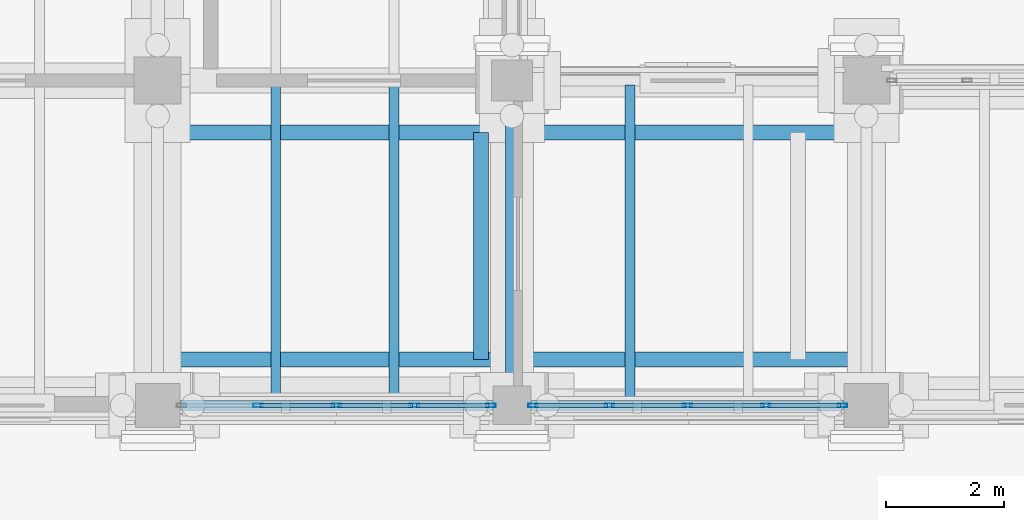
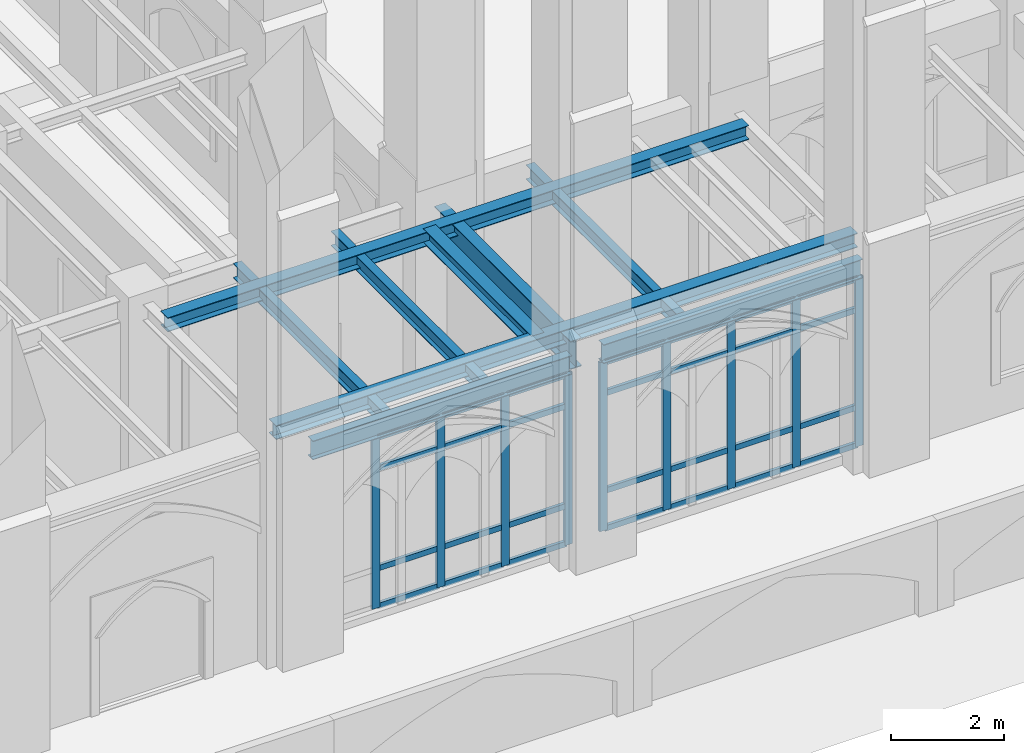
# One storey, part 35 of 135: 37 members, 9 beams, 2 elements without a shape of their own.
"""IFC4 building model written with IfcOpenShell, lengths in metres."""

from ifc_helpers import new_model, si_unit, direction, frame, origin, origin_2d, place, context, subcontext, project, spatial, hollow_rectangle, i_section, extrude, material, layer, layer_set, material_profile, profile_set, type_object, element, aggregate, save


model = new_model("IFC4")

# Units and contexts
model_context = context("Model", 3, precision=1e-05, world=origin(), true_north=direction((0.0, 1.0)))
body_context = subcontext(model_context, "Body", "Model", "MODEL_VIEW")
ifc_project = project(units=[si_unit("LENGTHUNIT", "METRE"), si_unit("AREAUNIT", "SQUARE_METRE"), si_unit("VOLUMEUNIT", "CUBIC_METRE"), si_unit("PLANEANGLEUNIT", "RADIAN"), si_unit("MASSUNIT", "GRAM", prefix="KILO")], contexts=[model_context])

# Site, building, storey
site_placement = place(None, origin())
site = spatial("IfcSite", under=ifc_project, at=site_placement, CompositionType="ELEMENT")
building_placement = place(site_placement, origin())
building = spatial("IfcBuilding", under=site, at=building_placement, Name="Cumevento Cable Car Station", CompositionType="ELEMENT")
storey_placement = place(building_placement, origin())
storey = spatial("IfcBuildingStorey", under=building, at=storey_placement, Name="L01", CompositionType="ELEMENT", Elevation=0.0)

# Curtain wall, members
ifc_material_1 = material(Name="Anodised Bronze Aluminium AW-6063-T6", Category="aluminium")
ifc_layer_1 = layer(ifc_material_1, 0.2080078125)
ifc_layer_set_1 = layer_set([ifc_layer_1], Name="Anodised Bronze Aluminium AW-6063-T6")
curtain_wall_type_1 = type_object("IfcCurtainWallType", Name="Lancet Curtain Wall CW-09 1370", PredefinedType="NOTDEFINED", material=ifc_layer_set_1)
curtain_wall_1_placement = place(storey_placement, origin())
curtain_wall_1 = element("IfcCurtainWall", 1, at=curtain_wall_1_placement, inside=storey, type_object=curtain_wall_type_1, Name="Lancet Curtain Wall CW-09 L01 #8", PredefinedType="NOTDEFINED")
ifc_material_2 = material(Name="Anodised Bronze Aluminium AW-6063-T6", Category="aluminium")
ifc_material_profile_1 = material_profile(ifc_material_2, hollow_rectangle(XDim=0.06494140625, YDim=0.159912109375, WallThickness=0.00390625, at=origin_2d()), Name="ALUM65x160x4")
ifc_profile_set_1 = profile_set([ifc_material_profile_1], Name="Anodised Bronze Aluminium AW-6063-T6")
member_type_1 = type_object("IfcMemberType", Name="Curtain Mullion CWM-01 ALUM65x160x4", PredefinedType="MULLION", material=ifc_profile_set_1)
member_1_placement = place(storey_placement, frame((69.642578125, 4.0, 0.159912109375), z_axis=(0.0, 0.0, 1.0), x_axis=(0.0, -1.0, 0.0)))
member_1 = element("IfcMember", 2, at=member_1_placement, type_object=member_type_1, Name="CW-09 mullion 1", PredefinedType="MULLION", context=body_context, shape_type="SweptSolid", body=[
    extrude(hollow_rectangle(XDim=0.06494140625, YDim=0.159912109375, WallThickness=0.00390625, at=origin_2d()), origin(), (0.0, 0.0, 1.0), 3.708984375),
])
member_2_placement = place(storey_placement, frame((68.35009765625, 4.0, 0.159912109375), z_axis=(0.0, 0.0, 1.0), x_axis=(0.0, -1.0, 0.0)))
member_2 = element("IfcMember", 3, at=member_2_placement, type_object=member_type_1, Name="CW-09 mullion 2", PredefinedType="MULLION", context=body_context, shape_type="SweptSolid", body=[
    extrude(hollow_rectangle(XDim=0.06494140625, YDim=0.159912109375, WallThickness=0.00390625, at=origin_2d()), origin(), (0.0, 0.0, 1.0), 3.708984375),
])
member_3_placement = place(storey_placement, frame((67.02490234375, 4.0, 0.159912109375), z_axis=(0.0, 0.0, 1.0), x_axis=(0.0, -1.0, 0.0)))
member_3 = element("IfcMember", 4, at=member_3_placement, type_object=member_type_1, Name="CW-09 mullion 3", PredefinedType="MULLION", context=body_context, shape_type="SweptSolid", body=[
    extrude(hollow_rectangle(XDim=0.06494140625, YDim=0.159912109375, WallThickness=0.00390625, at=origin_2d()), origin(), (0.0, 0.0, 1.0), 3.708984375),
])
member_4_placement = place(storey_placement, frame((65.699951171875, 4.0, 0.159912109375), z_axis=(0.0, 0.0, 1.0), x_axis=(0.0, -1.0, 0.0)))
member_4 = element("IfcMember", 5, at=member_4_placement, type_object=member_type_1, Name="CW-09 mullion 4", PredefinedType="MULLION", context=body_context, shape_type="SweptSolid", body=[
    extrude(hollow_rectangle(XDim=0.06494140625, YDim=0.159912109375, WallThickness=0.00390625, at=origin_2d()), origin(), (0.0, 0.0, 1.0), 3.708984375),
])

ifc_material_3 = material(Name="Anodised Bronze Aluminium AW-6063-T6", Category="aluminium")
ifc_layer_2 = layer(ifc_material_3, 0.214111328125)
ifc_layer_set_2 = layer_set([ifc_layer_2], Name="Anodised Bronze Aluminium AW-6063-T6")
curtain_wall_type_2 = type_object("IfcCurtainWallType", Name="Lancet Curtain Wall CW-10 1410", PredefinedType="NOTDEFINED", material=ifc_layer_set_2)
curtain_wall_2_placement = place(storey_placement, origin())
curtain_wall_2 = element("IfcCurtainWall", 6, at=curtain_wall_2_placement, inside=storey, type_object=curtain_wall_type_2, Name="Lancet Curtain Wall CW-10 L01 #9", PredefinedType="NOTDEFINED")
member_5_placement = place(storey_placement, frame((75.592529296875, 4.0, 0.2099609375), z_axis=(0.0, 0.0, 1.0), x_axis=(0.0, -1.0, 0.0)))
member_5 = element("IfcMember", 7, at=member_5_placement, type_object=member_type_1, Name="CW-10 mullion 1", PredefinedType="MULLION", context=body_context, shape_type="SweptSolid", body=[
    extrude(hollow_rectangle(XDim=0.06494140625, YDim=0.159912109375, WallThickness=0.00390625, at=origin_2d()), origin(), (0.0, 0.0, 1.0), 3.658935546875),
])
member_6_placement = place(storey_placement, frame((74.300048828125, 4.0, 0.2099609375), z_axis=(0.0, 0.0, 1.0), x_axis=(0.0, -1.0, 0.0)))
member_6 = element("IfcMember", 8, at=member_6_placement, type_object=member_type_1, Name="CW-10 mullion 2", PredefinedType="MULLION", context=body_context, shape_type="SweptSolid", body=[
    extrude(hollow_rectangle(XDim=0.06494140625, YDim=0.159912109375, WallThickness=0.00390625, at=origin_2d()), origin(), (0.0, 0.0, 1.0), 3.658935546875),
])
member_7_placement = place(storey_placement, frame((72.97509765625, 4.0, 0.2099609375), z_axis=(0.0, 0.0, 1.0), x_axis=(0.0, -1.0, 0.0)))
member_7 = element("IfcMember", 9, at=member_7_placement, type_object=member_type_1, Name="CW-10 mullion 3", PredefinedType="MULLION", context=body_context, shape_type="SweptSolid", body=[
    extrude(hollow_rectangle(XDim=0.06494140625, YDim=0.159912109375, WallThickness=0.00390625, at=origin_2d()), origin(), (0.0, 0.0, 1.0), 3.658935546875),
])
member_8_placement = place(storey_placement, frame((71.64990234375, 4.0, 0.2099609375), z_axis=(0.0, 0.0, 1.0), x_axis=(0.0, -1.0, 0.0)))
member_8 = element("IfcMember", 10, at=member_8_placement, type_object=member_type_1, Name="CW-10 mullion 4", PredefinedType="MULLION", context=body_context, shape_type="SweptSolid", body=[
    extrude(hollow_rectangle(XDim=0.06494140625, YDim=0.159912109375, WallThickness=0.00390625, at=origin_2d()), origin(), (0.0, 0.0, 1.0), 3.658935546875),
])
member_9_placement = place(storey_placement, frame((70.357421875, 4.0, 0.2099609375), z_axis=(0.0, 0.0, 1.0), x_axis=(0.0, -1.0, 0.0)))
member_9 = element("IfcMember", 11, at=member_9_placement, type_object=member_type_1, Name="CW-10 mullion 5", PredefinedType="MULLION", context=body_context, shape_type="SweptSolid", body=[
    extrude(hollow_rectangle(XDim=0.06494140625, YDim=0.159912109375, WallThickness=0.00390625, at=origin_2d()), origin(), (0.0, 0.0, 1.0), 3.658935546875),
])

# Member
ifc_material_4 = material(Name="Anodised Bronze Aluminium AW-6063-T6", Category="aluminium")
ifc_material_profile_2 = material_profile(ifc_material_4, hollow_rectangle(XDim=0.06494140625, YDim=0.1201171875, WallThickness=0.00390625, at=origin_2d()), Name="ALUT65x120x4")
ifc_profile_set_2 = profile_set([ifc_material_profile_2], Name="Anodised Bronze Aluminium AW-6063-T6")
member_type_2 = type_object("IfcMemberType", Name="Curtain Transom CWT-01 ALUT65x120x4", PredefinedType="USERDEFINED", material=ifc_profile_set_2)
member_10_placement = place(storey_placement, frame((69.610107421875, 4.0, 0.1923828125), z_axis=(-1.0, 0.0, 0.0), x_axis=(0.0, -1.0, 0.0)))
member_10 = element("IfcMember", 12, at=member_10_placement, type_object=member_type_2, Name="CW-09 transom 1.1", ObjectType="TRANSOM", PredefinedType="USERDEFINED", context=body_context, shape_type="SweptSolid", body=[
    extrude(hollow_rectangle(XDim=0.06494140625, YDim=0.1201171875, WallThickness=0.00390625, at=origin_2d()), origin(), (0.0, 0.0, 1.0), 1.2275390625),
])

member_11_placement = place(storey_placement, frame((69.610107421875, 4.0, 1.010009765625), z_axis=(-1.0, 0.0, 0.0), x_axis=(0.0, -1.0, 0.0)))
member_11 = element("IfcMember", 13, at=member_11_placement, type_object=member_type_2, Name="CW-09 transom 1.2", ObjectType="TRANSOM", PredefinedType="USERDEFINED", context=body_context, shape_type="SweptSolid", body=[
    extrude(hollow_rectangle(XDim=0.06494140625, YDim=0.1201171875, WallThickness=0.00390625, at=origin_2d()), origin(), (0.0, 0.0, 1.0), 1.2275390625),
])

member_12_placement = place(storey_placement, frame((69.610107421875, 4.0, 3.1689453125), z_axis=(-1.0, 0.0, 0.0), x_axis=(0.0, -1.0, 0.0)))
member_12 = element("IfcMember", 14, at=member_12_placement, type_object=member_type_2, Name="CW-09 transom 1.3", ObjectType="TRANSOM", PredefinedType="USERDEFINED", context=body_context, shape_type="SweptSolid", body=[
    extrude(hollow_rectangle(XDim=0.06494140625, YDim=0.1201171875, WallThickness=0.00390625, at=origin_2d()), origin(), (0.0, 0.0, 1.0), 1.2275390625),
])

member_13_placement = place(storey_placement, frame((69.610107421875, 4.0, 3.83642578125), z_axis=(-1.0, 0.0, 0.0), x_axis=(0.0, -1.0, 0.0)))
member_13 = element("IfcMember", 15, at=member_13_placement, type_object=member_type_2, Name="CW-09 transom 1.4", ObjectType="TRANSOM", PredefinedType="USERDEFINED", context=body_context, shape_type="SweptSolid", body=[
    extrude(hollow_rectangle(XDim=0.06494140625, YDim=0.1201171875, WallThickness=0.00390625, at=origin_2d()), origin(), (0.0, 0.0, 1.0), 1.2275390625),
])

member_14_placement = place(storey_placement, frame((68.3173828125, 4.0, 0.1923828125), z_axis=(-1.0, 0.0, 0.0), x_axis=(0.0, -1.0, 0.0)))
member_14 = element("IfcMember", 16, at=member_14_placement, type_object=member_type_2, Name="CW-09 transom 2.1", ObjectType="TRANSOM", PredefinedType="USERDEFINED", context=body_context, shape_type="SweptSolid", body=[
    extrude(hollow_rectangle(XDim=0.06494140625, YDim=0.1201171875, WallThickness=0.00390625, at=origin_2d()), origin(), (0.0, 0.0, 1.0), 1.259765625),
])

member_15_placement = place(storey_placement, frame((68.3173828125, 4.0, 1.010009765625), z_axis=(-1.0, 0.0, 0.0), x_axis=(0.0, -1.0, 0.0)))
member_15 = element("IfcMember", 17, at=member_15_placement, type_object=member_type_2, Name="CW-09 transom 2.2", ObjectType="TRANSOM", PredefinedType="USERDEFINED", context=body_context, shape_type="SweptSolid", body=[
    extrude(hollow_rectangle(XDim=0.06494140625, YDim=0.1201171875, WallThickness=0.00390625, at=origin_2d()), origin(), (0.0, 0.0, 1.0), 1.259765625),
])

member_16_placement = place(storey_placement, frame((68.3173828125, 4.0, 3.1689453125), z_axis=(-1.0, 0.0, 0.0), x_axis=(0.0, -1.0, 0.0)))
member_16 = element("IfcMember", 18, at=member_16_placement, type_object=member_type_2, Name="CW-09 transom 2.3", ObjectType="TRANSOM", PredefinedType="USERDEFINED", context=body_context, shape_type="SweptSolid", body=[
    extrude(hollow_rectangle(XDim=0.06494140625, YDim=0.1201171875, WallThickness=0.00390625, at=origin_2d()), origin(), (0.0, 0.0, 1.0), 1.259765625),
])

member_17_placement = place(storey_placement, frame((68.3173828125, 4.0, 3.83642578125), z_axis=(-1.0, 0.0, 0.0), x_axis=(0.0, -1.0, 0.0)))
member_17 = element("IfcMember", 19, at=member_17_placement, type_object=member_type_2, Name="CW-09 transom 2.4", ObjectType="TRANSOM", PredefinedType="USERDEFINED", context=body_context, shape_type="SweptSolid", body=[
    extrude(hollow_rectangle(XDim=0.06494140625, YDim=0.1201171875, WallThickness=0.00390625, at=origin_2d()), origin(), (0.0, 0.0, 1.0), 1.259765625),
])

member_18_placement = place(storey_placement, frame((66.992431640625, 4.0, 0.1923828125), z_axis=(-1.0, 0.0, 0.0), x_axis=(0.0, -1.0, 0.0)))
member_18 = element("IfcMember", 20, at=member_18_placement, type_object=member_type_2, Name="CW-09 transom 3.1", ObjectType="TRANSOM", PredefinedType="USERDEFINED", context=body_context, shape_type="SweptSolid", body=[
    extrude(hollow_rectangle(XDim=0.06494140625, YDim=0.1201171875, WallThickness=0.00390625, at=origin_2d()), origin(), (0.0, 0.0, 1.0), 1.260009765625),
])

member_19_placement = place(storey_placement, frame((66.992431640625, 4.0, 1.010009765625), z_axis=(-1.0, 0.0, 0.0), x_axis=(0.0, -1.0, 0.0)))
member_19 = element("IfcMember", 21, at=member_19_placement, type_object=member_type_2, Name="CW-09 transom 3.2", ObjectType="TRANSOM", PredefinedType="USERDEFINED", context=body_context, shape_type="SweptSolid", body=[
    extrude(hollow_rectangle(XDim=0.06494140625, YDim=0.1201171875, WallThickness=0.00390625, at=origin_2d()), origin(), (0.0, 0.0, 1.0), 1.260009765625),
])

member_20_placement = place(storey_placement, frame((66.992431640625, 4.0, 3.1689453125), z_axis=(-1.0, 0.0, 0.0), x_axis=(0.0, -1.0, 0.0)))
member_20 = element("IfcMember", 22, at=member_20_placement, type_object=member_type_2, Name="CW-09 transom 3.3", ObjectType="TRANSOM", PredefinedType="USERDEFINED", context=body_context, shape_type="SweptSolid", body=[
    extrude(hollow_rectangle(XDim=0.06494140625, YDim=0.1201171875, WallThickness=0.00390625, at=origin_2d()), origin(), (0.0, 0.0, 1.0), 1.260009765625),
])

member_21_placement = place(storey_placement, frame((66.992431640625, 4.0, 3.83642578125), z_axis=(-1.0, 0.0, 0.0), x_axis=(0.0, -1.0, 0.0)))
member_21 = element("IfcMember", 23, at=member_21_placement, type_object=member_type_2, Name="CW-09 transom 3.4", ObjectType="TRANSOM", PredefinedType="USERDEFINED", context=body_context, shape_type="SweptSolid", body=[
    extrude(hollow_rectangle(XDim=0.06494140625, YDim=0.1201171875, WallThickness=0.00390625, at=origin_2d()), origin(), (0.0, 0.0, 1.0), 1.260009765625),
])

aggregate(curtain_wall_1, [member_1, member_2, member_3, member_4, member_10, member_11, member_12, member_13, member_14, member_15, member_16, member_17, member_18, member_19, member_20, member_21])

member_22_placement = place(storey_placement, frame((75.56005859375, 4.0, 0.242431640625), z_axis=(-1.0, 0.0, 0.0), x_axis=(0.0, -1.0, 0.0)))
member_22 = element("IfcMember", 24, at=member_22_placement, type_object=member_type_2, Name="CW-10 transom 1.1", ObjectType="TRANSOM", PredefinedType="USERDEFINED", context=body_context, shape_type="SweptSolid", body=[
    extrude(hollow_rectangle(XDim=0.06494140625, YDim=0.1201171875, WallThickness=0.00390625, at=origin_2d()), origin(), (0.0, 0.0, 1.0), 1.2275390625),
])

member_23_placement = place(storey_placement, frame((75.56005859375, 4.0, 1.06005859375), z_axis=(-1.0, 0.0, 0.0), x_axis=(0.0, -1.0, 0.0)))
member_23 = element("IfcMember", 25, at=member_23_placement, type_object=member_type_2, Name="CW-10 transom 1.2", ObjectType="TRANSOM", PredefinedType="USERDEFINED", context=body_context, shape_type="SweptSolid", body=[
    extrude(hollow_rectangle(XDim=0.06494140625, YDim=0.1201171875, WallThickness=0.00390625, at=origin_2d()), origin(), (0.0, 0.0, 1.0), 1.2275390625),
])

member_24_placement = place(storey_placement, frame((75.56005859375, 4.0, 3.1689453125), z_axis=(-1.0, 0.0, 0.0), x_axis=(0.0, -1.0, 0.0)))
member_24 = element("IfcMember", 26, at=member_24_placement, type_object=member_type_2, Name="CW-10 transom 1.3", ObjectType="TRANSOM", PredefinedType="USERDEFINED", context=body_context, shape_type="SweptSolid", body=[
    extrude(hollow_rectangle(XDim=0.06494140625, YDim=0.1201171875, WallThickness=0.00390625, at=origin_2d()), origin(), (0.0, 0.0, 1.0), 1.2275390625),
])

member_25_placement = place(storey_placement, frame((75.56005859375, 4.0, 3.83642578125), z_axis=(-1.0, 0.0, 0.0), x_axis=(0.0, -1.0, 0.0)))
member_25 = element("IfcMember", 27, at=member_25_placement, type_object=member_type_2, Name="CW-10 transom 1.4", ObjectType="TRANSOM", PredefinedType="USERDEFINED", context=body_context, shape_type="SweptSolid", body=[
    extrude(hollow_rectangle(XDim=0.06494140625, YDim=0.1201171875, WallThickness=0.00390625, at=origin_2d()), origin(), (0.0, 0.0, 1.0), 1.2275390625),
])

member_26_placement = place(storey_placement, frame((74.267578125, 4.0, 0.242431640625), z_axis=(-1.0, 0.0, 0.0), x_axis=(0.0, -1.0, 0.0)))
member_26 = element("IfcMember", 28, at=member_26_placement, type_object=member_type_2, Name="CW-10 transom 2.1", ObjectType="TRANSOM", PredefinedType="USERDEFINED", context=body_context, shape_type="SweptSolid", body=[
    extrude(hollow_rectangle(XDim=0.06494140625, YDim=0.1201171875, WallThickness=0.00390625, at=origin_2d()), origin(), (0.0, 0.0, 1.0), 1.260009765625),
])

member_27_placement = place(storey_placement, frame((74.267578125, 4.0, 1.06005859375), z_axis=(-1.0, 0.0, 0.0), x_axis=(0.0, -1.0, 0.0)))
member_27 = element("IfcMember", 29, at=member_27_placement, type_object=member_type_2, Name="CW-10 transom 2.2", ObjectType="TRANSOM", PredefinedType="USERDEFINED", context=body_context, shape_type="SweptSolid", body=[
    extrude(hollow_rectangle(XDim=0.06494140625, YDim=0.1201171875, WallThickness=0.00390625, at=origin_2d()), origin(), (0.0, 0.0, 1.0), 1.260009765625),
])

member_28_placement = place(storey_placement, frame((74.267578125, 4.0, 3.1689453125), z_axis=(-1.0, 0.0, 0.0), x_axis=(0.0, -1.0, 0.0)))
member_28 = element("IfcMember", 30, at=member_28_placement, type_object=member_type_2, Name="CW-10 transom 2.3", ObjectType="TRANSOM", PredefinedType="USERDEFINED", context=body_context, shape_type="SweptSolid", body=[
    extrude(hollow_rectangle(XDim=0.06494140625, YDim=0.1201171875, WallThickness=0.00390625, at=origin_2d()), origin(), (0.0, 0.0, 1.0), 1.260009765625),
])

member_29_placement = place(storey_placement, frame((74.267578125, 4.0, 3.83642578125), z_axis=(-1.0, 0.0, 0.0), x_axis=(0.0, -1.0, 0.0)))
member_29 = element("IfcMember", 31, at=member_29_placement, type_object=member_type_2, Name="CW-10 transom 2.4", ObjectType="TRANSOM", PredefinedType="USERDEFINED", context=body_context, shape_type="SweptSolid", body=[
    extrude(hollow_rectangle(XDim=0.06494140625, YDim=0.1201171875, WallThickness=0.00390625, at=origin_2d()), origin(), (0.0, 0.0, 1.0), 1.260009765625),
])

member_30_placement = place(storey_placement, frame((72.9423828125, 4.0, 0.242431640625), z_axis=(-1.0, 0.0, 0.0), x_axis=(0.0, -1.0, 0.0)))
member_30 = element("IfcMember", 32, at=member_30_placement, type_object=member_type_2, Name="CW-10 transom 3.1", ObjectType="TRANSOM", PredefinedType="USERDEFINED", context=body_context, shape_type="SweptSolid", body=[
    extrude(hollow_rectangle(XDim=0.06494140625, YDim=0.1201171875, WallThickness=0.00390625, at=origin_2d()), origin(), (0.0, 0.0, 1.0), 1.259765625),
])

member_31_placement = place(storey_placement, frame((72.9423828125, 4.0, 1.06005859375), z_axis=(-1.0, 0.0, 0.0), x_axis=(0.0, -1.0, 0.0)))
member_31 = element("IfcMember", 33, at=member_31_placement, type_object=member_type_2, Name="CW-10 transom 3.2", ObjectType="TRANSOM", PredefinedType="USERDEFINED", context=body_context, shape_type="SweptSolid", body=[
    extrude(hollow_rectangle(XDim=0.06494140625, YDim=0.1201171875, WallThickness=0.00390625, at=origin_2d()), origin(), (0.0, 0.0, 1.0), 1.259765625),
])

member_32_placement = place(storey_placement, frame((72.9423828125, 4.0, 3.1689453125), z_axis=(-1.0, 0.0, 0.0), x_axis=(0.0, -1.0, 0.0)))
member_32 = element("IfcMember", 34, at=member_32_placement, type_object=member_type_2, Name="CW-10 transom 3.3", ObjectType="TRANSOM", PredefinedType="USERDEFINED", context=body_context, shape_type="SweptSolid", body=[
    extrude(hollow_rectangle(XDim=0.06494140625, YDim=0.1201171875, WallThickness=0.00390625, at=origin_2d()), origin(), (0.0, 0.0, 1.0), 1.259765625),
])

member_33_placement = place(storey_placement, frame((72.9423828125, 4.0, 3.83642578125), z_axis=(-1.0, 0.0, 0.0), x_axis=(0.0, -1.0, 0.0)))
member_33 = element("IfcMember", 35, at=member_33_placement, type_object=member_type_2, Name="CW-10 transom 3.4", ObjectType="TRANSOM", PredefinedType="USERDEFINED", context=body_context, shape_type="SweptSolid", body=[
    extrude(hollow_rectangle(XDim=0.06494140625, YDim=0.1201171875, WallThickness=0.00390625, at=origin_2d()), origin(), (0.0, 0.0, 1.0), 1.259765625),
])

member_34_placement = place(storey_placement, frame((71.617431640625, 4.0, 0.242431640625), z_axis=(-1.0, 0.0, 0.0), x_axis=(0.0, -1.0, 0.0)))
member_34 = element("IfcMember", 36, at=member_34_placement, type_object=member_type_2, Name="CW-10 transom 4.1", ObjectType="TRANSOM", PredefinedType="USERDEFINED", context=body_context, shape_type="SweptSolid", body=[
    extrude(hollow_rectangle(XDim=0.06494140625, YDim=0.1201171875, WallThickness=0.00390625, at=origin_2d()), origin(), (0.0, 0.0, 1.0), 1.2275390625),
])

member_35_placement = place(storey_placement, frame((71.617431640625, 4.0, 1.06005859375), z_axis=(-1.0, 0.0, 0.0), x_axis=(0.0, -1.0, 0.0)))
member_35 = element("IfcMember", 37, at=member_35_placement, type_object=member_type_2, Name="CW-10 transom 4.2", ObjectType="TRANSOM", PredefinedType="USERDEFINED", context=body_context, shape_type="SweptSolid", body=[
    extrude(hollow_rectangle(XDim=0.06494140625, YDim=0.1201171875, WallThickness=0.00390625, at=origin_2d()), origin(), (0.0, 0.0, 1.0), 1.2275390625),
])

member_36_placement = place(storey_placement, frame((71.617431640625, 4.0, 3.1689453125), z_axis=(-1.0, 0.0, 0.0), x_axis=(0.0, -1.0, 0.0)))
member_36 = element("IfcMember", 38, at=member_36_placement, type_object=member_type_2, Name="CW-10 transom 4.3", ObjectType="TRANSOM", PredefinedType="USERDEFINED", context=body_context, shape_type="SweptSolid", body=[
    extrude(hollow_rectangle(XDim=0.06494140625, YDim=0.1201171875, WallThickness=0.00390625, at=origin_2d()), origin(), (0.0, 0.0, 1.0), 1.2275390625),
])

member_37_placement = place(storey_placement, frame((71.617431640625, 4.0, 3.83642578125), z_axis=(-1.0, 0.0, 0.0), x_axis=(0.0, -1.0, 0.0)))
member_37 = element("IfcMember", 39, at=member_37_placement, type_object=member_type_2, Name="CW-10 transom 4.4", ObjectType="TRANSOM", PredefinedType="USERDEFINED", context=body_context, shape_type="SweptSolid", body=[
    extrude(hollow_rectangle(XDim=0.06494140625, YDim=0.1201171875, WallThickness=0.00390625, at=origin_2d()), origin(), (0.0, 0.0, 1.0), 1.2275390625),
])

aggregate(curtain_wall_2, [member_5, member_6, member_7, member_8, member_9, member_22, member_23, member_24, member_25, member_26, member_27, member_28, member_29, member_30, member_31, member_32, member_33, member_34, member_35, member_36, member_37])

# Beams
ifc_material_5 = material(Name="Steel ASTM A572 Grade 50", Category="steel")
ifc_material_profile_3 = material_profile(ifc_material_5, i_section(OverallWidth=0.22802734375, OverallDepth=0.60791015625, WebThickness=0.01123046875, FlangeThickness=0.017333984375, at=origin_2d()), Name="W610x113.0")
ifc_profile_set_3 = profile_set([ifc_material_profile_3], Name="Steel ASTM A572 Grade 50")
beam_type_1 = type_object("IfcBeamType", Name="Structural Beam BM-02 W610x113.0", PredefinedType="BEAM", material=ifc_profile_set_3)
beam_1_placement = place(storey_placement, frame((70.0, 4.324951171875, 3.947998046875), z_axis=(0.0, 1.0, 0.0), x_axis=(-1.0, 0.0, 0.0)))
element("IfcBeam", 40, at=beam_1_placement, inside=storey, type_object=beam_type_1, Name="Beam BM-02 L01 #37", PredefinedType="BEAM", context=body_context, shape_type="SweptSolid", body=[
    extrude(i_section(OverallWidth=0.22802734375, OverallDepth=0.60791015625, WebThickness=0.01123046875, FlangeThickness=0.017333984375, at=origin_2d()), origin(), (0.0, 0.0, 1.0), 4.824951171875),
])
ifc_material_6 = material(Name="Steel ASTM A572 Grade 50", Category="steel")
ifc_material_profile_4 = material_profile(ifc_material_6, i_section(OverallWidth=0.25390625, OverallDepth=0.305908203125, WebThickness=0.0087890625, FlangeThickness=0.0146484375, at=origin_2d()), Name="W310x79.0")
ifc_profile_set_4 = profile_set([ifc_material_profile_4], Name="Steel ASTM A572 Grade 50")
beam_type_2 = type_object("IfcBeamType", Name="Structural Beam BM-06 W310x79.0", PredefinedType="BEAM", material=ifc_profile_set_4)
for number, where, z_axis, x_axis, name in (
    (41, (64.050048828125, 4.777099609375, 4.123046875), (1.0, 0.0, 0.0), (0.0, 1.0, 0.0), "Stairwell Curb Girder ST-08 #25"),
    (42, (64.050048828125, 8.623046875, 4.123046875), (1.0, 0.0, 0.0), (0.0, 1.0, 0.0), "Stairwell Curb Girder ST-08 #26"),
):
    element("IfcBeam", number, at=place(storey_placement, frame(where, z_axis=z_axis, x_axis=x_axis)), inside=storey, type_object=beam_type_2, Name=name, PredefinedType="BEAM", context=body_context, shape_type="SweptSolid", body=[
        extrude(i_section(OverallWidth=0.25390625, OverallDepth=0.305908203125, WebThickness=0.0087890625, FlangeThickness=0.0146484375, at=origin_2d()), origin(), (0.0, 0.0, 1.0), 11.89990234375),
    ])
beam_2_placement = place(storey_placement, frame((69.47705078125, 4.777099609375, 4.123046875), z_axis=(0.0, 1.0, 0.0), x_axis=(-1.0, 0.0, 0.0)))
element("IfcBeam", 43, at=beam_2_placement, inside=storey, type_object=beam_type_2, Name="Stairwell Cross-Trimmer ST-08 #27", PredefinedType="BEAM", context=body_context, shape_type="SweptSolid", body=[
    extrude(i_section(OverallWidth=0.25390625, OverallDepth=0.305908203125, WebThickness=0.0087890625, FlangeThickness=0.0146484375, at=origin_2d()), origin(), (0.0, 0.0, 1.0), 3.845947265625),
])
ifc_material_7 = material(Name="Steel ASTM A572 Grade 50", Category="steel")
ifc_material_profile_5 = material_profile(ifc_material_7, i_section(OverallWidth=0.1669921875, OverallDepth=0.31689453125, WebThickness=0.007568359375, FlangeThickness=0.01318359375, at=origin_2d()), Name="W310x52.0")
ifc_profile_set_5 = profile_set([ifc_material_profile_5], Name="Steel ASTM A572 Grade 50")
beam_type_3 = type_object("IfcBeamType", Name="Structural Joist JS-02 W310x52.0", PredefinedType="JOIST", material=ifc_profile_set_5)
for number, where, z_axis, x_axis, name in (
    (44, (66.0, 4.076904296875, 4.093505859375), (0.0, 1.0, 0.0), (-1.0, 0.0, 0.0), "Composite Floor Joist JS-02 L01 #321"),
    (45, (68.0, 4.076904296875, 4.093505859375), (0.0, 1.0, 0.0), (-1.0, 0.0, 0.0), "Composite Floor Joist JS-02 L01 #322"),
):
    element("IfcBeam", number, at=place(storey_placement, frame(where, z_axis=z_axis, x_axis=x_axis)), inside=storey, type_object=beam_type_3, Name=name, PredefinedType="JOIST", context=body_context, shape_type="SweptSolid", body=[
        extrude(i_section(OverallWidth=0.1669921875, OverallDepth=0.31689453125, WebThickness=0.007568359375, FlangeThickness=0.01318359375, at=origin_2d()), origin(), (0.0, 0.0, 1.0), 5.32958984375),
    ])
beam_3_placement = place(storey_placement, frame((72.0, 4.076904296875, 4.117431640625), z_axis=(0.0, 1.0, 0.0), x_axis=(-1.0, 0.0, 0.0)))
element("IfcBeam", 46, at=beam_3_placement, inside=storey, type_object=beam_type_3, Name="Composite Floor Joist JS-02 L01 #323", PredefinedType="JOIST", context=body_context, shape_type="SweptSolid", body=[
    extrude(i_section(OverallWidth=0.1669921875, OverallDepth=0.31689453125, WebThickness=0.007568359375, FlangeThickness=0.01318359375, at=origin_2d()), origin(), (0.0, 0.0, 1.0), 5.34619140625),
])
ifc_material_8 = material(Name="Steel ASTM A572 Grade 50", Category="steel")
ifc_material_profile_6 = material_profile(ifc_material_8, i_section(OverallWidth=0.177978515625, OverallDepth=0.406982421875, WebThickness=0.0078125, FlangeThickness=0.0126953125, at=origin_2d()), Name="W410x60.0")
ifc_profile_set_6 = profile_set([ifc_material_profile_6], Name="Steel ASTM A572 Grade 50")
beam_type_4 = type_object("IfcBeamType", Name="Structural Spandrel SP-01 W410x60.0", PredefinedType="SPANDREL", material=ifc_profile_set_6)
for number, where, z_axis, x_axis, name in (
    (47, (64.375, 4.0, 4.072509765625), (1.0, 0.0, 0.0), (0.0, 1.0, 0.0), "Beam SP-01 L01 #26"),
    (48, (70.324951171875, 4.0, 4.072509765625), (1.0, 0.0, 0.0), (0.0, 1.0, 0.0), "Beam SP-01 L01 #27"),
):
    element("IfcBeam", number, at=place(storey_placement, frame(where, z_axis=z_axis, x_axis=x_axis)), inside=storey, type_object=beam_type_4, Name=name, PredefinedType="SPANDREL", context=body_context, shape_type="SweptSolid", body=[
        extrude(i_section(OverallWidth=0.177978515625, OverallDepth=0.406982421875, WebThickness=0.0078125, FlangeThickness=0.0126953125, at=origin_2d()), origin(), (0.0, 0.0, 1.0), 5.300048828125),
    ])

save(model, "model.ifc")
